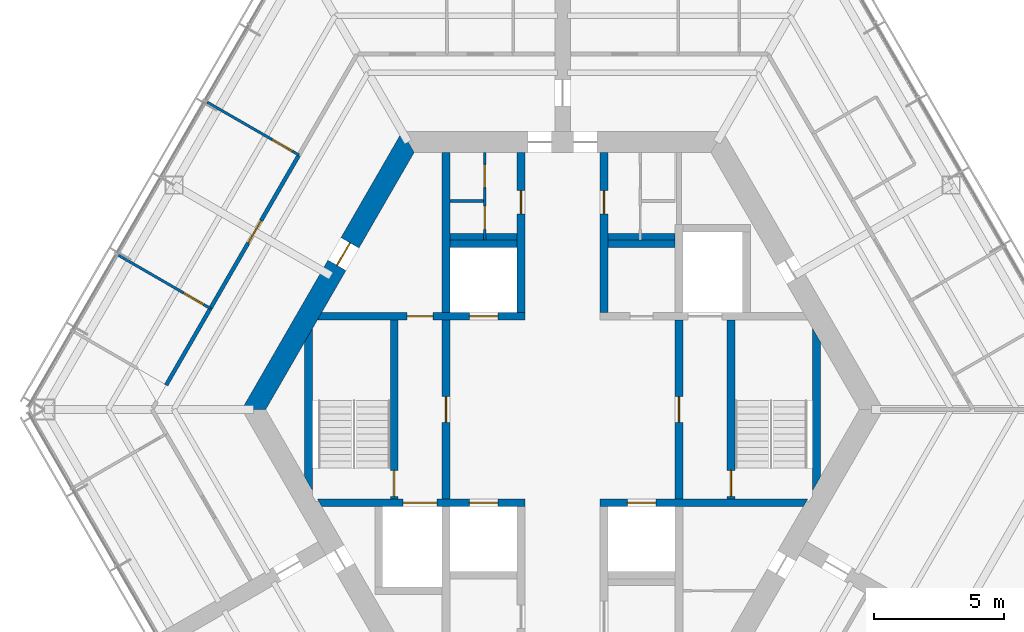
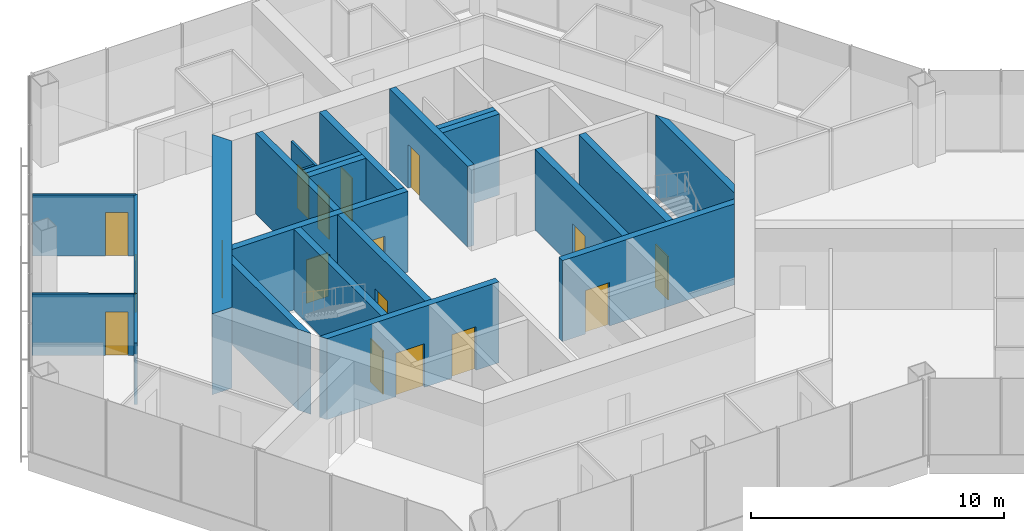
# One storey, part 8 of 13: 23 walls, 17 doors, 17 openings.
"""IFC4 building model written with IfcOpenShell, lengths in metres."""

from ifc_helpers import new_model, si_unit, direction, frame, frame_2d, origin, place, context, subcontext, project, spatial, polyline, rectangle, outline, extrude, material, layer, layer_set, type_object, element, fill, save


model = new_model("IFC4")

# Units and contexts
model_context = context("Model", 3, precision=1e-05, world=origin(), true_north=direction((0.0, 1.0)))
body_context = subcontext(model_context, "Body", "Model", "MODEL_VIEW")
ifc_project = project(units=[si_unit("LENGTHUNIT", "METRE"), si_unit("AREAUNIT", "SQUARE_METRE"), si_unit("VOLUMEUNIT", "CUBIC_METRE"), si_unit("PLANEANGLEUNIT", "RADIAN"), si_unit("MASSUNIT", "GRAM", prefix="KILO")], contexts=[model_context])

# Site, building, storey
site_placement = place(None, origin())
site = spatial("IfcSite", under=ifc_project, at=site_placement, CompositionType="ELEMENT")
building_placement = place(site_placement, origin())
building = spatial("IfcBuilding", under=site, at=building_placement, Name="Kasaneha Research Tower", CompositionType="ELEMENT")
storey_placement = place(building_placement, frame((0.0, 0.0, 279.10009765625)))
storey = spatial("IfcBuildingStorey", under=building, at=storey_placement, Name="L70", CompositionType="ELEMENT", Elevation=279.10009765625)

# Wall, openings, doors
ifc_material_1 = material(Name="Concrete Fc60", Category="concrete")
ifc_layer_1 = layer(ifc_material_1, 0.300048828125)
ifc_layer_set_1 = layer_set([ifc_layer_1], Name="Core internal wall 300 Fc60")
wall_type_1 = type_object("IfcWallType", Name="Core internal wall 300 Fc60", PredefinedType="SHEAR", material=ifc_layer_set_1)
wall_1_placement = place(storey_placement, frame((-9.3818359375, 3.60009765625, 0.0), z_axis=(0.0, 0.0, 1.0), x_axis=(1.0, 0.0, 0.0)))
wall_1 = element("IfcWall", 1, at=wall_1_placement, inside=storey, type_object=wall_type_1, Name="Core wall W1W L70", PredefinedType="SHEAR", context=body_context, shape_type="SweptSolid", body=[
    extrude(outline(polyline([(-0.086669921875, -0.14990234375), (3.3818359375, -0.14990234375), (4.3818359375, -0.14990234375), (5.781982421875, -0.14990234375), (6.882080078125, -0.14990234375), (7.931884765625, -0.14990234375), (7.931884765625, 0.14990234375), (6.882080078125, 0.14990234375), (5.781982421875, 0.14990234375), (4.3818359375, 0.14990234375), (3.3818359375, 0.14990234375), (0.086669921875, 0.14990234375), (-0.086669921875, -0.14990234375)])), origin(), (0.0, 0.0, 1.0), 3.89990234375),
])
opening_1_placement = place(wall_1_placement, frame((3.3818359375, 0.0, 0.0)))
opening_1 = element("IfcOpeningElement", 2, at=opening_1_placement, cuts=wall_1, Name="Opening L70-D12", PredefinedType="OPENING", context=body_context, shape_type="SweptSolid", body=[
    extrude(rectangle(XDim=1.0, YDim=2.10009765625, at=frame_2d((0.5, 1.050048828125))), frame((0.0, 0.16015625, 0.0), z_axis=(0.0, -1.0, 0.0), x_axis=(1.0, 0.0, 0.0)), (0.0, 0.0, 1.0), 0.320068359375),
])
opening_2_placement = place(wall_1_placement, frame((5.781982421875, 0.0, 0.0)))
opening_2 = element("IfcOpeningElement", 3, at=opening_2_placement, cuts=wall_1, Name="Opening LD-LH2-L70", PredefinedType="OPENING", context=body_context, shape_type="SweptSolid", body=[
    extrude(rectangle(XDim=1.10009765625, YDim=2.10009765625, at=frame_2d((0.550048828125, 1.050048828125))), frame((0.0, 0.16015625, 0.0), z_axis=(0.0, -1.0, 0.0), x_axis=(1.0, 0.0, 0.0)), (0.0, 0.0, 1.0), 0.320068359375),
])
ifc_material_2 = material(Name="Steel", Category="steel")
door_type_1 = type_object("IfcDoorType", Name="Lift landing door 1100x2100", OperationType="DOUBLE_DOOR_SLIDING", PredefinedType="DOOR", material=ifc_material_2)
door_1_placement = place(opening_2_placement, origin())
door_1 = element("IfcDoor", 4, at=door_1_placement, inside=storey, type_object=door_type_1, Name="Landing door LH2 LD-LH2-L70", OperationType="DOUBLE_DOOR_SLIDING", OverallHeight=2.10009765625, OverallWidth=1.10009765625, PredefinedType="DOOR", context=body_context, shape_type="SweptSolid", body=[
    extrude(rectangle(XDim=1.10009765625, YDim=2.10009765625, at=frame_2d((0.550048828125, 1.050048828125))), frame((0.0, 0.02490234375, 0.0), z_axis=(0.0, -1.0, 0.0), x_axis=(1.0, 0.0, 0.0)), (0.0, 0.0, 1.0), 0.050048828125),
])
fill(opening_2, door_1)
ifc_material_3 = material(Name="Steel", Category="steel")
door_type_2 = type_object("IfcDoorType", Name="Specified fire door FD60 1000x2100", OperationType="NOTDEFINED", PredefinedType="DOOR", material=ifc_material_3)
door_2_placement = place(opening_1_placement, origin())
door_2 = element("IfcDoor", 5, at=door_2_placement, inside=storey, type_object=door_type_2, Name="Vestibule to lobby door L70-D12", OperationType="SINGLE_SWING_LEFT", OverallHeight=2.10009765625, OverallWidth=1.0, PredefinedType="DOOR", context=body_context, shape_type="SweptSolid", body=[
    extrude(rectangle(XDim=1.0, YDim=2.10009765625, at=frame_2d((0.5, 1.050048828125))), frame((0.0, 0.02490234375, 0.0), z_axis=(0.0, -1.0, 0.0), x_axis=(1.0, 0.0, 0.0)), (0.0, 0.0, 1.0), 0.050048828125),
])
fill(opening_1, door_2)

wall_2_placement = place(storey_placement, frame((-9.3818359375, -3.60009765625, 0.0), z_axis=(0.0, 0.0, 1.0), x_axis=(1.0, 0.0, 0.0)))
wall_2 = element("IfcWall", 6, at=wall_2_placement, inside=storey, type_object=wall_type_1, Name="Core wall W2W L70", PredefinedType="SHEAR", context=body_context, shape_type="SweptSolid", body=[
    extrude(outline(polyline([(0.086669921875, -0.14990234375), (3.23193359375, -0.14990234375), (4.531982421875, -0.14990234375), (5.781982421875, -0.14990234375), (6.882080078125, -0.14990234375), (7.931884765625, -0.14990234375), (7.931884765625, 0.14990234375), (6.882080078125, 0.14990234375), (5.781982421875, 0.14990234375), (4.531982421875, 0.14990234375), (3.23193359375, 0.14990234375), (-0.086669921875, 0.14990234375), (0.086669921875, -0.14990234375)])), origin(), (0.0, 0.0, 1.0), 3.89990234375),
])
opening_3_placement = place(wall_2_placement, frame((5.781982421875, 0.0, 0.0)))
opening_3 = element("IfcOpeningElement", 7, at=opening_3_placement, cuts=wall_2, Name="Opening LD-LH1-L70", PredefinedType="OPENING", context=body_context, shape_type="SweptSolid", body=[
    extrude(rectangle(XDim=1.10009765625, YDim=2.10009765625, at=frame_2d((0.550048828125, 1.050048828125))), frame((0.0, 0.16015625, 0.0), z_axis=(0.0, -1.0, 0.0), x_axis=(1.0, 0.0, 0.0)), (0.0, 0.0, 1.0), 0.320068359375),
])
opening_4_placement = place(wall_2_placement, frame((3.23193359375, 0.0, 0.0)))
opening_4 = element("IfcOpeningElement", 8, at=opening_4_placement, cuts=wall_2, Name="Opening LD-FL2-L70", PredefinedType="OPENING", context=body_context, shape_type="SweptSolid", body=[
    extrude(rectangle(XDim=1.300048828125, YDim=2.10009765625, at=frame_2d((0.64990234375, 1.050048828125))), frame((0.0, 0.16015625, 0.0), z_axis=(0.0, -1.0, 0.0), x_axis=(1.0, 0.0, 0.0)), (0.0, 0.0, 1.0), 0.320068359375),
])
door_3_placement = place(opening_3_placement, origin())
door_3 = element("IfcDoor", 9, at=door_3_placement, inside=storey, type_object=door_type_1, Name="Landing door LH1 LD-LH1-L70", OperationType="DOUBLE_DOOR_SLIDING", OverallHeight=2.10009765625, OverallWidth=1.10009765625, PredefinedType="DOOR", context=body_context, shape_type="SweptSolid", body=[
    extrude(rectangle(XDim=1.10009765625, YDim=2.10009765625, at=frame_2d((0.550048828125, 1.050048828125))), frame((0.0, 0.02490234375, 0.0), z_axis=(0.0, -1.0, 0.0), x_axis=(1.0, 0.0, 0.0)), (0.0, 0.0, 1.0), 0.050048828125),
])
fill(opening_3, door_3)
ifc_material_4 = material(Name="Steel", Category="steel")
door_type_3 = type_object("IfcDoorType", Name="Lift landing door 1300x2100", OperationType="DOUBLE_DOOR_SLIDING", PredefinedType="DOOR", material=ifc_material_4)
door_4_placement = place(opening_4_placement, origin())
door_4 = element("IfcDoor", 10, at=door_4_placement, inside=storey, type_object=door_type_3, Name="Landing door FL2 LD-FL2-L70", OperationType="DOUBLE_DOOR_SLIDING", OverallHeight=2.10009765625, OverallWidth=1.300048828125, PredefinedType="DOOR", context=body_context, shape_type="SweptSolid", body=[
    extrude(rectangle(XDim=1.300048828125, YDim=2.10009765625, at=frame_2d((0.64990234375, 1.050048828125))), frame((0.0, 0.02490234375, 0.0), z_axis=(0.0, -1.0, 0.0), x_axis=(1.0, 0.0, 0.0)), (0.0, 0.0, 1.0), 0.050048828125),
])
fill(opening_4, door_4)

# Wall, opening, door
wall_3_placement = place(storey_placement, frame((1.449951171875, -3.60009765625, 0.0), z_axis=(0.0, 0.0, 1.0), x_axis=(1.0, 0.0, 0.0)))
wall_3 = element("IfcWall", 11, at=wall_3_placement, inside=storey, type_object=wall_type_1, Name="Core wall W2E L70", PredefinedType="SHEAR", context=body_context, shape_type="SweptSolid", body=[
    extrude(outline(polyline([(0.0, -0.14990234375), (1.050048828125, -0.14990234375), (2.150146484375, -0.14990234375), (7.84521484375, -0.14990234375), (8.0185546875, 0.14990234375), (2.150146484375, 0.14990234375), (1.050048828125, 0.14990234375), (0.0, 0.14990234375), (0.0, -0.14990234375)])), origin(), (0.0, 0.0, 1.0), 3.89990234375),
])
opening_5_placement = place(wall_3_placement, frame((1.050048828125, 0.0, 0.0)))
opening_5 = element("IfcOpeningElement", 12, at=opening_5_placement, cuts=wall_3, Name="Opening LD-LH3-L70", PredefinedType="OPENING", context=body_context, shape_type="SweptSolid", body=[
    extrude(rectangle(XDim=1.10009765625, YDim=2.10009765625, at=frame_2d((0.550048828125, 1.050048828125))), frame((0.0, 0.16015625, 0.0), z_axis=(0.0, -1.0, 0.0), x_axis=(1.0, 0.0, 0.0)), (0.0, 0.0, 1.0), 0.320068359375),
])
door_5_placement = place(opening_5_placement, origin())
door_5 = element("IfcDoor", 13, at=door_5_placement, inside=storey, type_object=door_type_1, Name="Landing door LH3 LD-LH3-L70", OperationType="DOUBLE_DOOR_SLIDING", OverallHeight=2.10009765625, OverallWidth=1.10009765625, PredefinedType="DOOR", context=body_context, shape_type="SweptSolid", body=[
    extrude(rectangle(XDim=1.10009765625, YDim=2.10009765625, at=frame_2d((0.550048828125, 1.050048828125))), frame((0.0, 0.02490234375, 0.0), z_axis=(0.0, -1.0, 0.0), x_axis=(1.0, 0.0, 0.0)), (0.0, 0.0, 1.0), 0.050048828125),
])
fill(opening_5, door_5)

wall_4_placement = place(storey_placement, frame((-1.60009765625, 3.75, 0.0), z_axis=(0.0, 0.0, 1.0), x_axis=(0.0, 1.0, 0.0)))
wall_4 = element("IfcWall", 14, at=wall_4_placement, inside=storey, type_object=wall_type_1, Name="Core wall CNW L70", PredefinedType="SHEAR", context=body_context, shape_type="SweptSolid", body=[
    extrude(rectangle(XDim=6.175048828125, YDim=0.300048828125, at=frame_2d((3.08740234375, 0.0))), origin(), (0.0, 0.0, 1.0), 3.89990234375),
])
opening_6_placement = place(wall_4_placement, frame((3.800048828125, 0.0, 0.0)))
opening_6 = element("IfcOpeningElement", 15, at=opening_6_placement, cuts=wall_4, Name="Opening L70-D13", PredefinedType="OPENING", context=body_context, shape_type="SweptSolid", body=[
    extrude(rectangle(XDim=0.89990234375, YDim=2.10009765625, at=frame_2d((0.449951171875, 1.050048828125))), frame((0.0, 0.16015625, 0.0), z_axis=(0.0, -1.0, 0.0), x_axis=(1.0, 0.0, 0.0)), (0.0, 0.0, 1.0), 0.320068359375),
])
ifc_material_5 = material(Name="Steel", Category="steel")
door_type_4 = type_object("IfcDoorType", Name="Toilet door FD20 900x2100", OperationType="NOTDEFINED", PredefinedType="DOOR", material=ifc_material_5)
door_6_placement = place(opening_6_placement, origin())
door_6 = element("IfcDoor", 16, at=door_6_placement, inside=storey, type_object=door_type_4, Name="Men's WC door L70-D13", OperationType="SINGLE_SWING_LEFT", OverallHeight=2.10009765625, OverallWidth=0.89990234375, PredefinedType="DOOR", context=body_context, shape_type="SweptSolid", body=[
    extrude(rectangle(XDim=0.89990234375, YDim=2.10009765625, at=frame_2d((0.449951171875, 1.050048828125))), frame((0.0, 0.02490234375, 0.0), z_axis=(0.0, -1.0, 0.0), x_axis=(1.0, 0.0, 0.0)), (0.0, 0.0, 1.0), 0.050048828125),
])
fill(opening_6, door_6)

wall_5_placement = place(storey_placement, frame((1.60009765625, 3.75, 0.0), z_axis=(0.0, 0.0, 1.0), x_axis=(0.0, 1.0, 0.0)))
wall_5 = element("IfcWall", 17, at=wall_5_placement, inside=storey, type_object=wall_type_1, Name="Core wall CNE L70", PredefinedType="SHEAR", context=body_context, shape_type="SweptSolid", body=[
    extrude(rectangle(XDim=6.175048828125, YDim=0.300048828125, at=frame_2d((3.08740234375, 0.0))), origin(), (0.0, 0.0, 1.0), 3.89990234375),
])
opening_7_placement = place(wall_5_placement, frame((3.800048828125, 0.0, 0.0)))
opening_7 = element("IfcOpeningElement", 18, at=opening_7_placement, cuts=wall_5, Name="Opening L70-D14", PredefinedType="OPENING", context=body_context, shape_type="SweptSolid", body=[
    extrude(rectangle(XDim=0.89990234375, YDim=2.10009765625, at=frame_2d((0.449951171875, 1.050048828125))), frame((0.0, 0.16015625, 0.0), z_axis=(0.0, -1.0, 0.0), x_axis=(1.0, 0.0, 0.0)), (0.0, 0.0, 1.0), 0.320068359375),
])
door_7_placement = place(opening_7_placement, origin())
door_7 = element("IfcDoor", 19, at=door_7_placement, inside=storey, type_object=door_type_4, Name="Women's WC door L70-D14", OperationType="SINGLE_SWING_LEFT", OverallHeight=2.10009765625, OverallWidth=0.89990234375, PredefinedType="DOOR", context=body_context, shape_type="SweptSolid", body=[
    extrude(rectangle(XDim=0.89990234375, YDim=2.10009765625, at=frame_2d((0.449951171875, 1.050048828125))), frame((0.0, 0.02490234375, 0.0), z_axis=(0.0, -1.0, 0.0), x_axis=(1.0, 0.0, 0.0)), (0.0, 0.0, 1.0), 0.050048828125),
])
fill(opening_7, door_7)

wall_6_placement = place(storey_placement, frame((-4.5, -3.449951171875, 0.0), z_axis=(0.0, 0.0, 1.0), x_axis=(0.0, 1.0, 0.0)))
wall_6 = element("IfcWall", 20, at=wall_6_placement, inside=storey, type_object=wall_type_1, Name="Core wall LBW L70", PredefinedType="SHEAR", context=body_context, shape_type="SweptSolid", body=[
    extrude(rectangle(XDim=6.89990234375, YDim=0.300048828125, at=frame_2d((3.449951171875, 0.0))), origin(), (0.0, 0.0, 1.0), 3.89990234375),
])
opening_8_placement = place(wall_6_placement, frame((2.949951171875, 0.0, 0.0)))
opening_8 = element("IfcOpeningElement", 21, at=opening_8_placement, cuts=wall_6, Name="Opening L70-D09", PredefinedType="OPENING", context=body_context, shape_type="SweptSolid", body=[
    extrude(rectangle(XDim=1.0, YDim=2.10009765625, at=frame_2d((0.5, 1.050048828125))), frame((0.0, 0.16015625, 0.0), z_axis=(0.0, -1.0, 0.0), x_axis=(1.0, 0.0, 0.0)), (0.0, 0.0, 1.0), 0.320068359375),
])
door_8_placement = place(opening_8_placement, origin())
door_8 = element("IfcDoor", 22, at=door_8_placement, inside=storey, type_object=door_type_2, Name="Lift lobby door west L70-D09", OperationType="SINGLE_SWING_LEFT", OverallHeight=2.10009765625, OverallWidth=1.0, PredefinedType="DOOR", context=body_context, shape_type="SweptSolid", body=[
    extrude(rectangle(XDim=1.0, YDim=2.10009765625, at=frame_2d((0.5, 1.050048828125))), frame((0.0, 0.02490234375, 0.0), z_axis=(0.0, -1.0, 0.0), x_axis=(1.0, 0.0, 0.0)), (0.0, 0.0, 1.0), 0.050048828125),
])
fill(opening_8, door_8)

wall_7_placement = place(storey_placement, frame((4.5, -3.449951171875, 0.0), z_axis=(0.0, 0.0, 1.0), x_axis=(0.0, 1.0, 0.0)))
wall_7 = element("IfcWall", 23, at=wall_7_placement, inside=storey, type_object=wall_type_1, Name="Core wall LBE L70", PredefinedType="SHEAR", context=body_context, shape_type="SweptSolid", body=[
    extrude(rectangle(XDim=6.89990234375, YDim=0.300048828125, at=frame_2d((3.449951171875, 0.0))), origin(), (0.0, 0.0, 1.0), 3.89990234375),
])
opening_9_placement = place(wall_7_placement, frame((2.949951171875, 0.0, 0.0)))
opening_9 = element("IfcOpeningElement", 24, at=opening_9_placement, cuts=wall_7, Name="Opening L70-D08", PredefinedType="OPENING", context=body_context, shape_type="SweptSolid", body=[
    extrude(rectangle(XDim=1.0, YDim=2.10009765625, at=frame_2d((0.5, 1.050048828125))), frame((0.0, 0.16015625, 0.0), z_axis=(0.0, -1.0, 0.0), x_axis=(1.0, 0.0, 0.0)), (0.0, 0.0, 1.0), 0.320068359375),
])
door_9_placement = place(opening_9_placement, origin())
door_9 = element("IfcDoor", 25, at=door_9_placement, inside=storey, type_object=door_type_2, Name="Lift lobby door east L70-D08", OperationType="SINGLE_SWING_LEFT", OverallHeight=2.10009765625, OverallWidth=1.0, PredefinedType="DOOR", context=body_context, shape_type="SweptSolid", body=[
    extrude(rectangle(XDim=1.0, YDim=2.10009765625, at=frame_2d((0.5, 1.050048828125))), frame((0.0, 0.02490234375, 0.0), z_axis=(0.0, -1.0, 0.0), x_axis=(1.0, 0.0, 0.0)), (0.0, 0.0, 1.0), 0.050048828125),
])
fill(opening_9, door_9)

wall_8_placement = place(storey_placement, frame((-6.5, -3.449951171875, 0.0), z_axis=(0.0, 0.0, 1.0), x_axis=(0.0, 1.0, 0.0)))
wall_8 = element("IfcWall", 26, at=wall_8_placement, inside=storey, type_object=wall_type_1, Name="Core wall ANW L70", PredefinedType="SHEAR", context=body_context, shape_type="SweptSolid", body=[
    extrude(rectangle(XDim=6.89990234375, YDim=0.300048828125, at=frame_2d((3.449951171875, 0.0))), origin(), (0.0, 0.0, 1.0), 3.89990234375),
])
opening_10_placement = place(wall_8_placement, frame((0.10009765625, 0.0, 0.0)))
opening_10 = element("IfcOpeningElement", 27, at=opening_10_placement, cuts=wall_8, Name="Opening L70-D11", PredefinedType="OPENING", context=body_context, shape_type="SweptSolid", body=[
    extrude(rectangle(XDim=1.0, YDim=2.10009765625, at=frame_2d((0.5, 1.050048828125))), frame((0.0, 0.16015625, 0.0), z_axis=(0.0, -1.0, 0.0), x_axis=(1.0, 0.0, 0.0)), (0.0, 0.0, 1.0), 0.320068359375),
])
door_10_placement = place(opening_10_placement, origin())
door_10 = element("IfcDoor", 28, at=door_10_placement, inside=storey, type_object=door_type_2, Name="Stair 2 door L70-D11", OperationType="SINGLE_SWING_LEFT", OverallHeight=2.10009765625, OverallWidth=1.0, PredefinedType="DOOR", context=body_context, shape_type="SweptSolid", body=[
    extrude(rectangle(XDim=1.0, YDim=2.10009765625, at=frame_2d((0.5, 1.050048828125))), frame((0.0, 0.02490234375, 0.0), z_axis=(0.0, -1.0, 0.0), x_axis=(1.0, 0.0, 0.0)), (0.0, 0.0, 1.0), 0.050048828125),
])
fill(opening_10, door_10)

wall_9_placement = place(storey_placement, frame((6.5, -3.449951171875, 0.0), z_axis=(0.0, 0.0, 1.0), x_axis=(0.0, 1.0, 0.0)))
wall_9 = element("IfcWall", 29, at=wall_9_placement, inside=storey, type_object=wall_type_1, Name="Core wall ANE L70", PredefinedType="SHEAR", context=body_context, shape_type="SweptSolid", body=[
    extrude(rectangle(XDim=6.89990234375, YDim=0.300048828125, at=frame_2d((3.449951171875, 0.0))), origin(), (0.0, 0.0, 1.0), 3.89990234375),
])
opening_11_placement = place(wall_9_placement, frame((0.10009765625, 0.0, 0.0)))
opening_11 = element("IfcOpeningElement", 30, at=opening_11_placement, cuts=wall_9, Name="Opening L70-D10", PredefinedType="OPENING", context=body_context, shape_type="SweptSolid", body=[
    extrude(rectangle(XDim=1.0, YDim=2.10009765625, at=frame_2d((0.5, 1.050048828125))), frame((0.0, 0.16015625, 0.0), z_axis=(0.0, -1.0, 0.0), x_axis=(1.0, 0.0, 0.0)), (0.0, 0.0, 1.0), 0.320068359375),
])
door_11_placement = place(opening_11_placement, origin())
door_11 = element("IfcDoor", 31, at=door_11_placement, inside=storey, type_object=door_type_2, Name="Stair 1 door L70-D10", OperationType="SINGLE_SWING_LEFT", OverallHeight=2.10009765625, OverallWidth=1.0, PredefinedType="DOOR", context=body_context, shape_type="SweptSolid", body=[
    extrude(rectangle(XDim=1.0, YDim=2.10009765625, at=frame_2d((0.5, 1.050048828125))), frame((0.0, 0.02490234375, 0.0), z_axis=(0.0, -1.0, 0.0), x_axis=(1.0, 0.0, 0.0)), (0.0, 0.0, 1.0), 0.050048828125),
])
fill(opening_11, door_11)

# Walls
wall_10_placement = place(storey_placement, frame((-4.5, 3.75, 0.0), z_axis=(0.0, 0.0, 1.0), x_axis=(0.0, 1.0, 0.0)))
element("IfcWall", 32, at=wall_10_placement, inside=storey, type_object=wall_type_1, Name="Core wall VNW L70", PredefinedType="SHEAR", context=body_context, shape_type="SweptSolid", body=[
    extrude(rectangle(XDim=6.175048828125, YDim=0.300048828125, at=frame_2d((3.08740234375, 0.0))), origin(), (0.0, 0.0, 1.0), 3.89990234375),
])
for number, where, z_axis, x_axis, name in (
    (33, (-4.35009765625, 6.39990234375, 0.0), (0.0, 0.0, 1.0), (1.0, 0.0, 0.0), "Core wall N1N L70"),
    (34, (1.75, 6.39990234375, 0.0), (0.0, 0.0, 1.0), (1.0, 0.0, 0.0), "Core wall N3N L70"),
):
    element("IfcWall", number, at=place(storey_placement, frame(where, z_axis=z_axis, x_axis=x_axis)), inside=storey, type_object=wall_type_1, Name=name, PredefinedType="SHEAR", context=body_context, shape_type="SweptSolid", body=[
        extrude(rectangle(XDim=2.60009765625, YDim=0.300048828125, at=frame_2d((1.300048828125, 0.0))), origin(), (0.0, 0.0, 1.0), 3.89990234375),
    ])
wall_11_placement = place(storey_placement, frame((9.807861328125, -2.8623046875, 0.0), z_axis=(0.0, 0.0, 1.0), x_axis=(0.0, 1.0, 0.0)))
element("IfcWall", 35, at=wall_11_placement, inside=storey, type_object=wall_type_1, Name="Core wall STE L70", PredefinedType="SHEAR", context=body_context, shape_type="SweptSolid", body=[
    extrude(outline(polyline([(0.259765625, -0.14990234375), (5.46484375, -0.14990234375), (5.984375, 0.14990234375), (-0.259765625, 0.14990234375), (0.259765625, -0.14990234375)])), origin(), (0.0, 0.0, 1.0), 3.89990234375),
])
wall_12_placement = place(storey_placement, frame((-9.807861328125, -2.8623046875, 0.0), z_axis=(0.0, 0.0, 1.0), x_axis=(0.0, 1.0, 0.0)))
element("IfcWall", 36, at=wall_12_placement, inside=storey, type_object=wall_type_1, Name="Core wall STW L70", PredefinedType="SHEAR", context=body_context, shape_type="SweptSolid", body=[
    extrude(outline(polyline([(-0.259765625, -0.14990234375), (5.984375, -0.14990234375), (5.46484375, 0.14990234375), (0.259765625, 0.14990234375), (-0.259765625, -0.14990234375)])), origin(), (0.0, 0.0, 1.0), 3.89990234375),
])

# Wall, opening, door
ifc_material_6 = material(Name="Concrete Fc60", Category="concrete")
ifc_layer_2 = layer(ifc_material_6, 0.800048828125)
ifc_layer_set_2 = layer_set([ifc_layer_2], Name="Core wall 800 Fc60")
wall_type_2 = type_object("IfcWallType", Name="Core wall 800 Fc60", PredefinedType="SHEAR", material=ifc_layer_set_2)
wall_13_placement = place(storey_placement, frame((-5.961181640625, 10.324951171875, 0.0), z_axis=(0.0, 0.0, 1.0), x_axis=(-0.500004296715, -0.866022923061, 0.0)))
wall_13 = element("IfcWall", 37, at=wall_13_placement, inside=storey, type_object=wall_type_2, Name="Core wall 150 L70", PredefinedType="SHEAR", context=body_context, shape_type="SweptSolid", body=[
    extrude(outline(polyline([(-0.23095703125, -0.39990234375), (4.494140625, -0.39990234375), (5.494140625, -0.39990234375), (12.1533203125, -0.39990234375), (11.69140625, 0.39990234375), (5.494140625, 0.39990234375), (4.494140625, 0.39990234375), (0.23095703125, 0.39990234375), (-0.23095703125, -0.39990234375)])), origin(), (0.0, 0.0, 1.0), 3.89990234375),
])
opening_12_placement = place(wall_13_placement, frame((4.494140625, 0.0, 0.0)))
opening_12 = element("IfcOpeningElement", 38, at=opening_12_placement, cuts=wall_13, Name="Opening L70-D07", PredefinedType="OPENING", context=body_context, shape_type="SweptSolid", body=[
    extrude(rectangle(XDim=1.0, YDim=2.10009765625, at=frame_2d((0.5, 1.050048828125))), frame((0.0, 0.41015625, 0.0), z_axis=(0.0, -1.0, 0.0), x_axis=(1.0, 0.0, 0.0)), (0.0, 0.0, 1.0), 0.820068359375),
])
ifc_material_7 = material(Name="Steel", Category="steel")
door_type_5 = type_object("IfcDoorType", Name="Fire door FD20 1000x2100", OperationType="NOTDEFINED", PredefinedType="DOOR", material=ifc_material_7)
door_12_placement = place(opening_12_placement, origin())
door_12 = element("IfcDoor", 39, at=door_12_placement, inside=storey, type_object=door_type_5, Name="Vestibule door L70-D07", OperationType="SINGLE_SWING_LEFT", OverallHeight=2.10009765625, OverallWidth=1.0, PredefinedType="DOOR", context=body_context, shape_type="SweptSolid", body=[
    extrude(rectangle(XDim=1.0, YDim=2.10009765625, at=frame_2d((0.5, 1.050048828125))), frame((0.0, 0.02490234375, 0.0), z_axis=(0.0, -1.0, 0.0), x_axis=(1.0, 0.0, 0.0)), (0.0, 0.0, 1.0), 0.050048828125),
])
fill(opening_12, door_12)

# Wall, openings, doors
ifc_material_8 = material(Name="Gypsum board on steel studs, one layer each side", Category="steel")
ifc_layer_3 = layer(ifc_material_8, 0.10009765625)
ifc_layer_set_3 = layer_set([ifc_layer_3], Name="Office partition 100")
wall_type_3 = type_object("IfcWallType", Name="Office partition 100", PredefinedType="PARTITIONING", material=ifc_layer_set_3)
wall_14_placement = place(storey_placement, frame((-3.0, 6.550048828125, 0.0), z_axis=(0.0, 0.0, 1.0), x_axis=(0.0, 1.0, 0.0)))
wall_14 = element("IfcWall", 40, at=wall_14_placement, inside=storey, type_object=wall_type_3, Name="Office partition TBM1 L70", PredefinedType="PARTITIONING", context=body_context, shape_type="SweptSolid", body=[
    extrude(rectangle(XDim=3.375, YDim=0.10009765625, at=frame_2d((1.6875, 0.0))), origin(), (0.0, 0.0, 1.0), 2.949951171875),
])
opening_13_placement = place(wall_14_placement, frame((2.012451171875, 0.0, 0.0)))
opening_13 = element("IfcOpeningElement", 41, at=opening_13_placement, cuts=wall_14, Name="Opening L70-D21", PredefinedType="OPENING", context=body_context, shape_type="SweptSolid", body=[
    extrude(rectangle(XDim=0.89990234375, YDim=2.10009765625, at=frame_2d((0.449951171875, 1.050048828125))), frame((0.0, 0.06005859375, 0.0), z_axis=(0.0, -1.0, 0.0), x_axis=(1.0, 0.0, 0.0)), (0.0, 0.0, 1.0), 0.1201171875),
])
opening_14_placement = place(wall_14_placement, frame((0.39990234375, 0.0, 0.0)))
opening_14 = element("IfcOpeningElement", 42, at=opening_14_placement, cuts=wall_14, Name="Opening L70-D22", PredefinedType="OPENING", context=body_context, shape_type="SweptSolid", body=[
    extrude(rectangle(XDim=0.89990234375, YDim=2.10009765625, at=frame_2d((0.449951171875, 1.050048828125))), frame((0.0, 0.06005859375, 0.0), z_axis=(0.0, -1.0, 0.0), x_axis=(1.0, 0.0, 0.0)), (0.0, 0.0, 1.0), 0.1201171875),
])
ifc_material_9 = material(Name="Steel", Category="steel")
door_type_6 = type_object("IfcDoorType", Name="Toilet lobby door FD30 900x2100", OperationType="NOTDEFINED", PredefinedType="DOOR", material=ifc_material_9)
door_13_placement = place(opening_13_placement, origin())
door_13 = element("IfcDoor", 43, at=door_13_placement, inside=storey, type_object=door_type_6, Name="Men's WC door L70-D21", OperationType="SINGLE_SWING_RIGHT", OverallHeight=2.10009765625, OverallWidth=0.89990234375, PredefinedType="DOOR", context=body_context, shape_type="SweptSolid", body=[
    extrude(rectangle(XDim=0.89990234375, YDim=2.10009765625, at=frame_2d((0.449951171875, 1.050048828125))), frame((0.0, 0.02490234375, 0.0), z_axis=(0.0, -1.0, 0.0), x_axis=(1.0, 0.0, 0.0)), (0.0, 0.0, 1.0), 0.050048828125),
])
fill(opening_13, door_13)
door_14_placement = place(opening_14_placement, origin())
door_14 = element("IfcDoor", 44, at=door_14_placement, inside=storey, type_object=door_type_6, Name="Cleaner's store door L70-D22", OperationType="SINGLE_SWING_RIGHT", OverallHeight=2.10009765625, OverallWidth=0.89990234375, PredefinedType="DOOR", context=body_context, shape_type="SweptSolid", body=[
    extrude(rectangle(XDim=0.89990234375, YDim=2.10009765625, at=frame_2d((0.449951171875, 1.050048828125))), frame((0.0, 0.02490234375, 0.0), z_axis=(0.0, -1.0, 0.0), x_axis=(1.0, 0.0, 0.0)), (0.0, 0.0, 1.0), 0.050048828125),
])
fill(opening_14, door_14)

# Wall
wall_15_placement = place(storey_placement, frame((-3.050048828125, 8.050048828125, 0.0), z_axis=(0.0, 0.0, 1.0), x_axis=(-1.0, 0.0, 0.0)))
element("IfcWall", 45, at=wall_15_placement, inside=storey, type_object=wall_type_3, Name="Office partition TBM2 L70", PredefinedType="PARTITIONING", context=body_context, shape_type="SweptSolid", body=[
    extrude(rectangle(XDim=1.300048828125, YDim=0.10009765625, at=frame_2d((0.64990234375, 0.0))), origin(), (0.0, 0.0, 1.0), 2.949951171875),
])

# Wall, opening, door
wall_16_placement = place(storey_placement, frame((-17.15380859375, 5.9599609375, 0.0), z_axis=(0.0, 0.0, 1.0), x_axis=(0.8654628796, -0.500973057194, 0.0)))
wall_16 = element("IfcWall", 46, at=wall_16_placement, inside=storey, type_object=wall_type_3, Name="Office partition FBN08 L70", PredefinedType="PARTITIONING", context=body_context, shape_type="SweptSolid", body=[
    extrude(rectangle(XDim=4.110595703125, YDim=0.10009765625, at=frame_2d((2.05517578125, 0.0))), origin(), (0.0, 0.0, 1.0), 2.949951171875),
])
opening_15_placement = place(wall_16_placement, frame((2.910400390625, 0.0, 0.0)))
opening_15 = element("IfcOpeningElement", 47, at=opening_15_placement, cuts=wall_16, Name="Opening L70-D36", PredefinedType="OPENING", context=body_context, shape_type="SweptSolid", body=[
    extrude(rectangle(XDim=0.89990234375, YDim=2.10009765625, at=frame_2d((0.449951171875, 1.050048828125))), frame((0.0, 0.06005859375, 0.0), z_axis=(0.0, -1.0, 0.0), x_axis=(1.0, 0.0, 0.0)), (0.0, 0.0, 1.0), 0.1201171875),
])
ifc_material_10 = material(Name="Timber veneer", Category="wood")
door_type_7 = type_object("IfcDoorType", Name="Office door 900x2100", OperationType="SINGLE_SWING_LEFT", PredefinedType="DOOR", material=ifc_material_10)
door_15_placement = place(opening_15_placement, origin())
door_15 = element("IfcDoor", 48, at=door_15_placement, inside=storey, type_object=door_type_7, Name="Manager's office door L70-D36", OperationType="SINGLE_SWING_RIGHT", OverallHeight=2.10009765625, OverallWidth=0.89990234375, PredefinedType="DOOR", context=body_context, shape_type="SweptSolid", body=[
    extrude(rectangle(XDim=0.89990234375, YDim=2.10009765625, at=frame_2d((0.449951171875, 1.050048828125))), frame((0.0, 0.02490234375, 0.0), z_axis=(0.0, -1.0, 0.0), x_axis=(1.0, 0.0, 0.0)), (0.0, 0.0, 1.0), 0.050048828125),
])
fill(opening_15, door_15)

wall_17_placement = place(storey_placement, frame((-10.17626953125, 9.82421875, 0.0), z_axis=(0.0, 0.0, 1.0), x_axis=(-0.866587219047, 0.499025642412, 0.0)))
wall_17 = element("IfcWall", 49, at=wall_17_placement, inside=storey, type_object=wall_type_3, Name="Office partition FBN09 L70", PredefinedType="PARTITIONING", context=body_context, shape_type="SweptSolid", body=[
    extrude(rectangle(XDim=4.085693359375, YDim=0.10009765625, at=frame_2d((2.04296875, 0.0))), origin(), (0.0, 0.0, 1.0), 2.949951171875),
])
opening_16_placement = place(wall_17_placement, frame((0.300048828125, 0.0, 0.0)))
opening_16 = element("IfcOpeningElement", 50, at=opening_16_placement, cuts=wall_17, Name="Opening L70-D37", PredefinedType="OPENING", context=body_context, shape_type="SweptSolid", body=[
    extrude(rectangle(XDim=0.89990234375, YDim=2.10009765625, at=frame_2d((0.449951171875, 1.050048828125))), frame((0.0, 0.06005859375, 0.0), z_axis=(0.0, -1.0, 0.0), x_axis=(1.0, 0.0, 0.0)), (0.0, 0.0, 1.0), 0.1201171875),
])
door_16_placement = place(opening_16_placement, origin())
door_16 = element("IfcDoor", 51, at=door_16_placement, inside=storey, type_object=door_type_7, Name="Project room door L70-D37", OperationType="SINGLE_SWING_LEFT", OverallHeight=2.10009765625, OverallWidth=0.89990234375, PredefinedType="DOOR", context=body_context, shape_type="SweptSolid", body=[
    extrude(rectangle(XDim=0.89990234375, YDim=2.10009765625, at=frame_2d((0.449951171875, 1.050048828125))), frame((0.0, 0.02490234375, 0.0), z_axis=(0.0, -1.0, 0.0), x_axis=(1.0, 0.0, 0.0)), (0.0, 0.0, 1.0), 0.050048828125),
])
fill(opening_16, door_16)

# Wall
ifc_material_11 = material(Name="Gypsum board on steel studs, two layers each side", Category="steel")
ifc_layer_4 = layer(ifc_material_11, 0.14990234375)
ifc_layer_set_4 = layer_set([ifc_layer_4], Name="Suite partition 150")
wall_type_4 = type_object("IfcWallType", Name="Suite partition 150", PredefinedType="PARTITIONING", material=ifc_layer_set_4)
wall_18_placement = place(storey_placement, frame((-15.30419921875, 0.9423828125, 0.0), z_axis=(0.0, 0.0, 1.0), x_axis=(0.500032973541, 0.866006365664, 0.0)))
element("IfcWall", 52, at=wall_18_placement, inside=storey, type_object=wall_type_4, Name="Suite partition FBN01 L70", PredefinedType="PARTITIONING", context=body_context, shape_type="SweptSolid", body=[
    extrude(rectangle(XDim=3.425537109375, YDim=0.14990234375, at=frame_2d((1.712890625, 0.0))), origin(), (0.0, 0.0, 1.0), 2.949951171875),
])

# Wall, opening, door
wall_19_placement = place(storey_placement, frame((-13.59619140625, 3.900634765625, 0.0), z_axis=(0.0, 0.0, 1.0), x_axis=(0.499993318678, 0.866029261213, 0.0)))
wall_19 = element("IfcWall", 53, at=wall_19_placement, inside=storey, type_object=wall_type_4, Name="Suite partition FBN05 L70", PredefinedType="PARTITIONING", context=body_context, shape_type="SweptSolid", body=[
    extrude(rectangle(XDim=6.83984375, YDim=0.14990234375, at=frame_2d((3.419921875, 0.0))), origin(), (0.0, 0.0, 1.0), 2.949951171875),
])
opening_17_placement = place(wall_19_placement, frame((2.919921875, 0.0, 0.0)))
opening_17 = element("IfcOpeningElement", 54, at=opening_17_placement, cuts=wall_19, Name="Opening L70-D34", PredefinedType="OPENING", context=body_context, shape_type="SweptSolid", body=[
    extrude(rectangle(XDim=1.0, YDim=2.10009765625, at=frame_2d((0.5, 1.050048828125))), frame((0.0, 0.0849609375, 0.0), z_axis=(0.0, -1.0, 0.0), x_axis=(1.0, 0.0, 0.0)), (0.0, 0.0, 1.0), 0.169921875),
])
ifc_material_12 = material(Name="Steel", Category="steel")
door_type_8 = type_object("IfcDoorType", Name="Suite entrance door FD60 1000x2100", OperationType="NOTDEFINED", PredefinedType="DOOR", material=ifc_material_12)
door_17_placement = place(opening_17_placement, origin())
door_17 = element("IfcDoor", 55, at=door_17_placement, inside=storey, type_object=door_type_8, Name="Suite entrance door L70-D34", OperationType="SINGLE_SWING_RIGHT", OverallHeight=2.10009765625, OverallWidth=1.0, PredefinedType="DOOR", context=body_context, shape_type="SweptSolid", body=[
    extrude(rectangle(XDim=1.0, YDim=2.10009765625, at=frame_2d((0.5, 1.050048828125))), frame((0.0, 0.02490234375, 0.0), z_axis=(0.0, -1.0, 0.0), x_axis=(1.0, 0.0, 0.0)), (0.0, 0.0, 1.0), 0.050048828125),
])
fill(opening_17, door_17)

# Walls
ifc_material_13 = material(Name="Concrete block lining", Category="concrete")
ifc_layer_5 = layer(ifc_material_13, 0.25)
ifc_layer_set_5 = layer_set([ifc_layer_5], Name="WC plumbing wall 250")
wall_type_5 = type_object("IfcWallType", Name="WC plumbing wall 250", PredefinedType="PLUMBINGWALL", material=ifc_layer_set_5)
for number, where, z_axis, x_axis, name in (
    (56, (-4.35009765625, 6.675048828125, 0.0), (0.0, 0.0, 1.0), (1.0, 0.0, 0.0), "WC plumbing wall M L70"),
    (57, (1.75, 6.675048828125, 0.0), (0.0, 0.0, 1.0), (1.0, 0.0, 0.0), "WC plumbing wall F L70"),
):
    element("IfcWall", number, at=place(storey_placement, frame(where, z_axis=z_axis, x_axis=x_axis)), inside=storey, type_object=wall_type_5, Name=name, PredefinedType="PLUMBINGWALL", context=body_context, shape_type="SweptSolid", body=[
        extrude(rectangle(XDim=2.60009765625, YDim=0.25, at=frame_2d((1.300048828125, 0.0))), origin(), (0.0, 0.0, 1.0), 3.89990234375),
    ])

save(model, "model.ifc")
